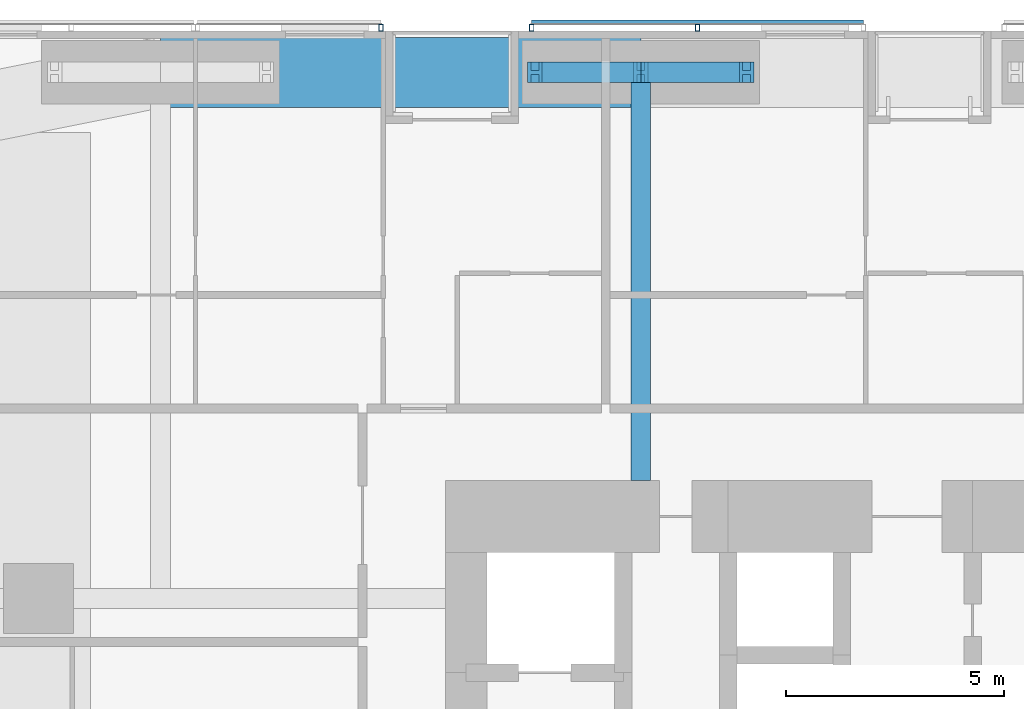
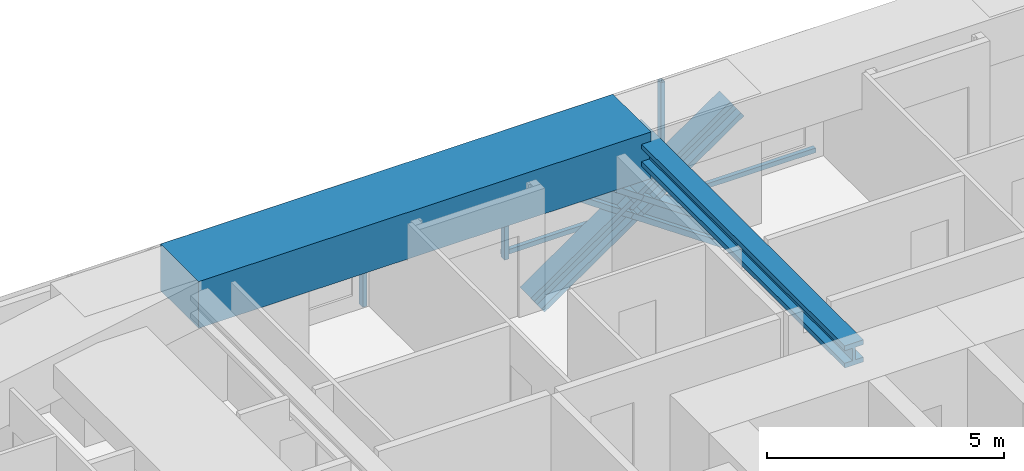
# One storey, part 12 of 23: 8 members, 2 beams, 2 elements without a shape of their own.
"""IFC4 building model written with IfcOpenShell, lengths in metres."""

from ifc_helpers import new_model, si_unit, direction, frame, origin, origin_2d, place, context, subcontext, project, spatial, rectangle, hollow_rectangle, i_section, extrude, material, material_profile, profile_set, type_object, element, aggregate, save


model = new_model("IFC4")

# Units and contexts
model_context = context("Model", 3, precision=1e-05, world=origin(), true_north=direction((0.0, 1.0)))
body_context = subcontext(model_context, "Body", "Model", "MODEL_VIEW")
ifc_project = project(units=[si_unit("LENGTHUNIT", "METRE"), si_unit("AREAUNIT", "SQUARE_METRE"), si_unit("VOLUMEUNIT", "CUBIC_METRE"), si_unit("PLANEANGLEUNIT", "RADIAN"), si_unit("MASSUNIT", "GRAM", prefix="KILO")], contexts=[model_context])

# Site, building, storey
site_placement = place(None, origin())
site = spatial("IfcSite", under=ifc_project, at=site_placement, CompositionType="ELEMENT")
building_placement = place(site_placement, origin())
building = spatial("IfcBuilding", under=site, at=building_placement, Name="Jalousie Tower", CompositionType="ELEMENT")
storey_placement = place(building_placement, frame((0.0, 0.0, 34.39990234375)))
storey = spatial("IfcBuildingStorey", under=building, at=storey_placement, Name="L08", CompositionType="ELEMENT", Elevation=34.39990234375)

# Beam
ifc_material_1 = material(Name="Steel ASTM A992 Grade 50", Category="steel")
ifc_material_profile_1 = material_profile(ifc_material_1, i_section(OverallWidth=0.45458984375, OverallDepth=0.569091796875, WebThickness=0.077880859375, FlangeThickness=0.124755859375, at=origin_2d()), Name="W14X730")
ifc_profile_set_1 = profile_set([ifc_material_profile_1], Name="Steel ASTM A992 Grade 50")
beam_type_1 = type_object("IfcBeamType", Name="LEAN COLLECTOR W14X730", PredefinedType="BEAM", material=ifc_profile_set_1)
beam_1_placement = place(storey_placement, frame((24.0, 37.050048828125, 2.82568359375), z_axis=(0.0, -1.0, 0.0), x_axis=(1.0, 0.0, 0.0)))
element("IfcBeam", 1, at=beam_1_placement, inside=storey, type_object=beam_type_1, Name="Lean collector under L09", PredefinedType="BEAM", context=body_context, shape_type="SweptSolid", body=[
    extrude(i_section(OverallWidth=0.45458984375, OverallDepth=0.569091796875, WebThickness=0.077880859375, FlangeThickness=0.124755859375, at=origin_2d()), origin(), (0.0, 0.0, 1.0), 9.35009765625),
])

# Members
ifc_material_2 = material(Name="Steel ASTM A992 Grade 50", Category="steel")
ifc_material_profile_2 = material_profile(ifc_material_2, i_section(OverallWidth=0.472412109375, OverallDepth=0.5791015625, WebThickness=0.094970703125, FlangeThickness=0.1298828125, at=origin_2d()), Name="W14X808")
ifc_profile_set_2 = profile_set([ifc_material_profile_2], Name="Steel ASTM A992 Grade 50")
member_type_1 = type_object("IfcMemberType", Name="PERIMETER BRACE W14X808", PredefinedType="BRACE", material=ifc_profile_set_2)
for number, where, z_axis, x_axis, name in (
    (2, (21.574951171875, 37.050048828125, -0.599853515625), (0.822800062329, 0.0, 0.568330940062), (0.0, 1.0, 0.0), "Perimeter brace 10 L08 part 1"),
    (3, (24.0, 37.050048828125, 1.0751953125), (0.82283879777, 0.0, 0.568274856811), (0.0, 1.0, 0.0), "Perimeter brace 10 L08 part 2"),
    (4, (26.425048828125, 37.050048828125, -0.599853515625), (-0.822800062329, 0.0, 0.568330940062), (0.0, -1.0, 0.0), "Perimeter brace 10 L08 part 3"),
    (5, (24.0, 37.050048828125, 1.0751953125), (-0.82283879777, 0.0, 0.568274856811), (0.0, -1.0, 0.0), "Perimeter brace 10 L08 part 4"),
):
    element("IfcMember", number, at=place(storey_placement, frame(where, z_axis=z_axis, x_axis=x_axis)), inside=storey, type_object=member_type_1, Name=name, PredefinedType="BRACE", context=body_context, shape_type="SweptSolid", body=[
        extrude(i_section(OverallWidth=0.472412109375, OverallDepth=0.5791015625, WebThickness=0.094970703125, FlangeThickness=0.1298828125, at=origin_2d()), origin(), (0.0, 0.0, 1.0), 2.947265625),
    ])

# Beam
ifc_material_3 = material(Name="Concrete f'c 40 MPa", Category="concrete")
ifc_material_profile_3 = material_profile(ifc_material_3, rectangle(XDim=1.60009765625, YDim=1.199951171875, at=origin_2d()), Name="RC 1600x1200")
ifc_profile_set_3 = profile_set([ifc_material_profile_3], Name="Concrete f'c 40 MPa")
beam_type_2 = type_object("IfcBeamType", Name="RC BEAM 1600x1200", PredefinedType="BEAM", material=ifc_profile_set_3)
beam_2_placement = place(storey_placement, frame((24.0, 37.050048828125, 2.75), z_axis=(-1.0, 0.0, 0.0), x_axis=(0.0, -1.0, 0.0)))
element("IfcBeam", 6, at=beam_2_placement, inside=storey, type_object=beam_type_2, Name="Edge band beam 10-11 under L09", PredefinedType="BEAM", context=body_context, shape_type="SweptSolid", body=[
    extrude(rectangle(XDim=1.60009765625, YDim=1.199951171875, at=origin_2d()), origin(), (0.0, 0.0, 1.0), 11.0),
])

# Curtain wall, members
ifc_material_4 = material(Name="Perforated aluminium sheet", Category="aluminium")
curtain_wall_type = type_object("IfcCurtainWallType", Name="SOLAR SCREEN SS-1", PredefinedType="USERDEFINED", material=ifc_material_4)
curtain_wall_1_placement = place(storey_placement, origin())
curtain_wall_1 = element("IfcCurtainWall", 7, at=curtain_wall_1_placement, inside=storey, type_object=curtain_wall_type, Name="Solar screen L08", ObjectType="SOLAR SCREEN SS-1", PredefinedType="USERDEFINED")
ifc_material_5 = material(Name="Steel ASTM A500 Grade C", Category="steel")
ifc_material_profile_4 = material_profile(ifc_material_5, hollow_rectangle(XDim=0.1015625, YDim=0.15234375, WallThickness=0.00634765625, at=origin_2d()), Name="HSS6X4X1/4")
ifc_profile_set_4 = profile_set([ifc_material_profile_4], Name="Steel ASTM A500 Grade C")
member_type_2 = type_object("IfcMemberType", Name="SOLAR SCREEN SS-1 MULLION", PredefinedType="MULLION", material=ifc_profile_set_4)
member_1_placement = place(storey_placement, frame((25.300048828125, 38.0712890625, -0.119873046875), z_axis=(0.0, 0.0, 1.0), x_axis=(-1.0, 0.0, 0.0)))
member_1 = element("IfcMember", 8, at=member_1_placement, type_object=member_type_2, Name="SS1 post 2", PredefinedType="MULLION", context=body_context, shape_type="SweptSolid", body=[
    extrude(hollow_rectangle(XDim=0.1015625, YDim=0.15234375, WallThickness=0.00634765625, at=origin_2d()), origin(), (0.0, 0.0, 1.0), 3.22998046875),
])
member_2_placement = place(storey_placement, frame((21.5, 38.0712890625, -0.119873046875), z_axis=(0.0, 0.0, 1.0), x_axis=(-1.0, 0.0, 0.0)))
member_2 = element("IfcMember", 9, at=member_2_placement, type_object=member_type_2, Name="SS1 post 3", PredefinedType="MULLION", context=body_context, shape_type="SweptSolid", body=[
    extrude(hollow_rectangle(XDim=0.1015625, YDim=0.15234375, WallThickness=0.00634765625, at=origin_2d()), origin(), (0.0, 0.0, 1.0), 3.22998046875),
])

# Curtain wall, member
curtain_wall_2_placement = place(storey_placement, origin())
curtain_wall_2 = element("IfcCurtainWall", 10, at=curtain_wall_2_placement, inside=storey, type_object=curtain_wall_type, Name="Solar screen L08", ObjectType="SOLAR SCREEN SS-1", PredefinedType="USERDEFINED")
member_3_placement = place(storey_placement, frame((18.050048828125, 38.0712890625, -0.119873046875), z_axis=(0.0, 0.0, 1.0), x_axis=(-1.0, 0.0, 0.0)))
member_3 = element("IfcMember", 11, at=member_3_placement, type_object=member_type_2, Name="SS1 post 1", PredefinedType="MULLION", context=body_context, shape_type="SweptSolid", body=[
    extrude(hollow_rectangle(XDim=0.1015625, YDim=0.15234375, WallThickness=0.00634765625, at=origin_2d()), origin(), (0.0, 0.0, 1.0), 3.22998046875),
])
aggregate(curtain_wall_2, [member_3])

# Member
ifc_material_6 = material(Name="Extruded aluminium screen rail", Category="aluminium")
ifc_material_profile_5 = material_profile(ifc_material_6, rectangle(XDim=0.1015625, YDim=0.1201171875, at=origin_2d()), Name="RAIL 102x120")
ifc_profile_set_5 = profile_set([ifc_material_profile_5], Name="Extruded aluminium screen rail")
member_type_3 = type_object("IfcMemberType", Name="SOLAR SCREEN SS-1 TRANSOM", PredefinedType="USERDEFINED", material=ifc_profile_set_5)
member_4_placement = place(storey_placement, frame((29.10009765625, 38.1982421875, -0.059814453125), z_axis=(-1.0, 0.0, 0.0), x_axis=(0.0, -1.0, 0.0)))
member_4 = element("IfcMember", 12, at=member_4_placement, type_object=member_type_3, Name="SS1 rail", ObjectType="TRANSOM", PredefinedType="USERDEFINED", context=body_context, shape_type="SweptSolid", body=[
    extrude(rectangle(XDim=0.1015625, YDim=0.1201171875, at=origin_2d()), origin(), (0.0, 0.0, 1.0), 7.60009765625),
])

aggregate(curtain_wall_1, [member_1, member_2, member_4])

save(model, "model.ifc")
